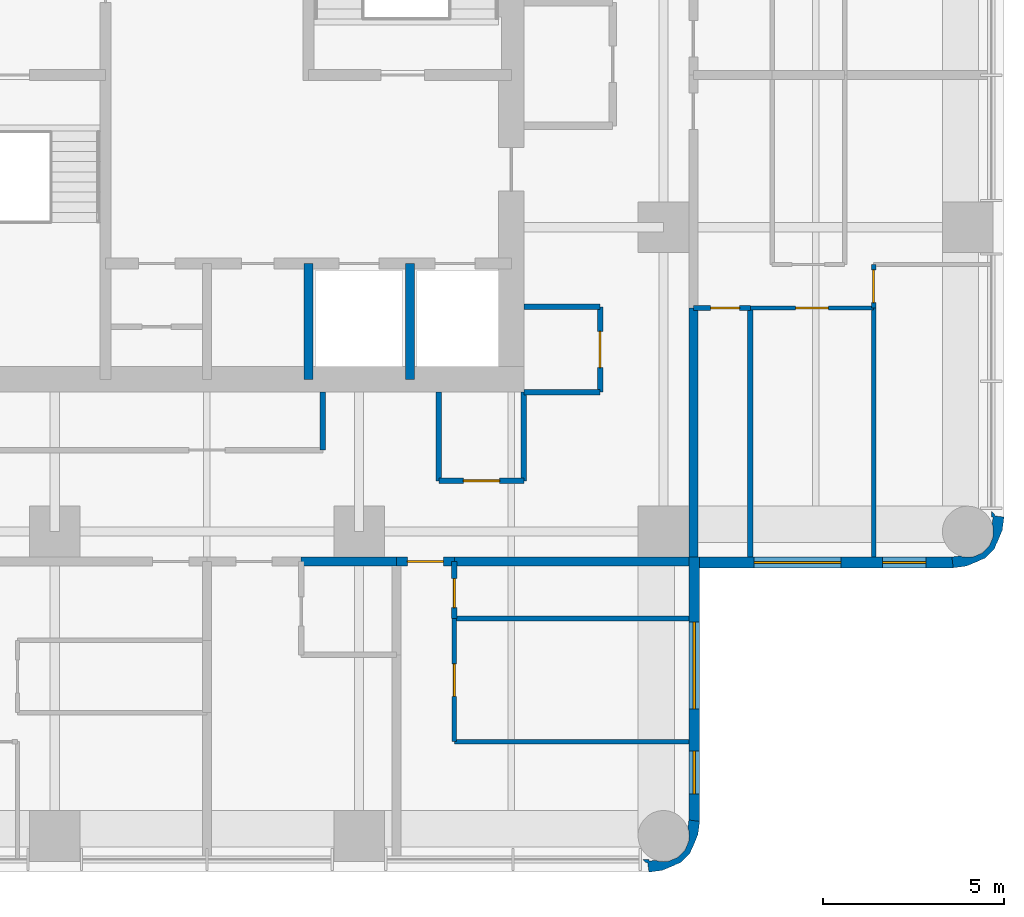
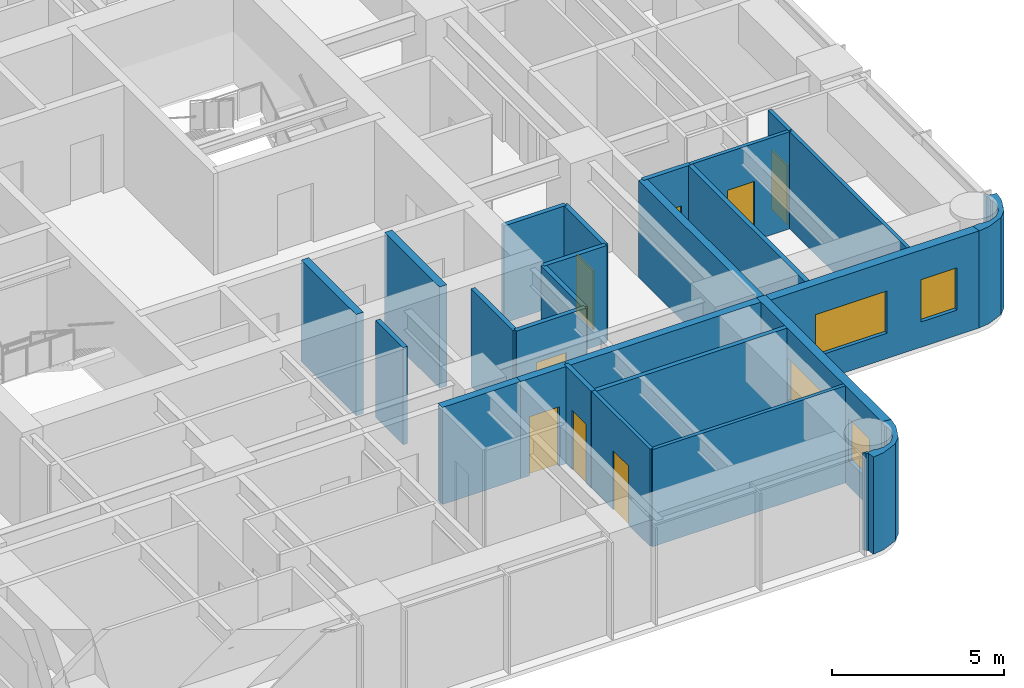
# One storey, part 7 of 11: 26 walls, 8 doors, 4 windows, 12 openings.
"""IFC4 building model written with IfcOpenShell, lengths in metres."""

from ifc_helpers import new_model, si_unit, direction, frame, frame_2d, origin, place, context, subcontext, project, spatial, polyline, rectangle, outline, extrude, material, layer, layer_set, type_object, element, fill, save


model = new_model("IFC4")

# Units and contexts
model_context = context("Model", 3, precision=1e-05, world=origin(), true_north=direction((0.0, 1.0)))
body_context = subcontext(model_context, "Body", "Model", "MODEL_VIEW")
ifc_project = project(units=[si_unit("LENGTHUNIT", "METRE"), si_unit("AREAUNIT", "SQUARE_METRE"), si_unit("VOLUMEUNIT", "CUBIC_METRE"), si_unit("PLANEANGLEUNIT", "RADIAN"), si_unit("MASSUNIT", "GRAM", prefix="KILO")], contexts=[model_context])

# Site, building, storey
site_placement = place(None, origin())
site = spatial("IfcSite", under=ifc_project, at=site_placement, CompositionType="ELEMENT")
building_placement = place(site_placement, origin())
building = spatial("IfcBuilding", under=site, at=building_placement, Name="Torre Alcanfor", CompositionType="ELEMENT")
storey_placement = place(building_placement, frame((0.0, 0.0, 204.89990234375)))
storey = spatial("IfcBuildingStorey", under=building, at=storey_placement, Name="L53", CompositionType="ELEMENT", Elevation=204.89990234375)

# Walls
ifc_material_1 = material(Name="Concrete block masonry, hollow blocks NMX-C-404 9 MPa", Category="masonry")
ifc_layer_1 = layer(ifc_material_1, 0.25)
ifc_layer_set_1 = layer_set([ifc_layer_1], Name="Apartment entrance wall 250 EI 60")
wall_type_1 = type_object("IfcWallType", Name="Apartment entrance wall 250 EI 60", PredefinedType="PARTITIONING", material=ifc_layer_set_1)
wall_1_placement = place(storey_placement, frame((42.824951171875, 22.970947265625, 0.0), z_axis=(0.0, 0.0, 1.0), x_axis=(0.0, -1.0, 0.0)))
element("IfcWall", 1, at=wall_1_placement, inside=storey, type_object=wall_type_1, Name="Partition L53-CORR / L53-E2-BATH", PredefinedType="PARTITIONING", context=body_context, shape_type="SweptSolid", body=[
    extrude(rectangle(XDim=6.870849609375, YDim=0.25, at=frame_2d((3.435546875, 0.0))), origin(), (0.0, 0.0, 1.0), 3.4501953125),
])
wall_2_placement = place(storey_placement, frame((34.62890625, 15.97509765625, 0.0), z_axis=(0.0, 0.0, 1.0), x_axis=(-1.0, 0.0, 0.0)))
element("IfcWall", 2, at=wall_2_placement, inside=storey, type_object=wall_type_1, Name="Partition L53-CORR / L53-S1A-BATH", PredefinedType="PARTITIONING", context=body_context, shape_type="SweptSolid", body=[
    extrude(rectangle(XDim=2.62890625, YDim=0.25, at=frame_2d((1.314453125, 0.0))), origin(), (0.0, 0.0, 1.0), 3.4501953125),
])

# Wall, opening, door
wall_3_placement = place(storey_placement, frame((36.22900390625, 15.97509765625, 0.0), z_axis=(0.0, 0.0, 1.0), x_axis=(-1.0, 0.0, 0.0)))
wall_3 = element("IfcWall", 3, at=wall_3_placement, inside=storey, type_object=wall_type_1, Name="Partition L53-CORR / L53-S1B-LIVING", PredefinedType="PARTITIONING", context=body_context, shape_type="SweptSolid", body=[
    extrude(rectangle(XDim=1.60009765625, YDim=0.25, at=frame_2d((0.800048828125, 0.0))), origin(), (0.0, 0.0, 1.0), 3.4501953125),
])
opening_1_placement = place(wall_3_placement, frame((0.300048828125, 0.0, 0.0)))
opening_1 = element("IfcOpeningElement", 4, at=opening_1_placement, cuts=wall_3, Name="Opening D-A1", PredefinedType="OPENING", context=body_context, shape_type="SweptSolid", body=[
    extrude(rectangle(XDim=1.0, YDim=2.10009765625, at=frame_2d((0.5, 1.050048828125))), frame((0.0, 0.135009765625, 0.0), z_axis=(0.0, -1.0, 0.0), x_axis=(1.0, 0.0, 0.0)), (0.0, 0.0, 1.0), 0.27001953125),
])
ifc_material_2 = material(Name="Galvanised steel sheet ASTM A653", Category="steel")
door_type_1 = type_object("IfcDoorType", Name="Apartment entrance door FD60 1000x2100", OperationType="SINGLE_SWING_LEFT", PredefinedType="DOOR", material=ifc_material_2)
door_1_placement = place(opening_1_placement, origin())
door_1 = element("IfcDoor", 5, at=door_1_placement, inside=storey, type_object=door_type_1, Name="Apartment entrance L53-S1B", OperationType="SINGLE_SWING_LEFT", OverallHeight=2.10009765625, OverallWidth=1.0, PredefinedType="DOOR", context=body_context, shape_type="SweptSolid", body=[
    extrude(rectangle(XDim=1.0, YDim=2.10009765625, at=frame_2d((0.5, 1.050048828125))), frame((0.0, 0.02490234375, 0.0), z_axis=(0.0, -1.0, 0.0), x_axis=(1.0, 0.0, 0.0)), (0.0, 0.0, 1.0), 0.050048828125),
])
fill(opening_1, door_1)

# Wall
wall_4_placement = place(storey_placement, frame((42.699951171875, 15.97509765625, 0.0), z_axis=(0.0, 0.0, 1.0), x_axis=(-1.0, 0.0, 0.0)))
element("IfcWall", 6, at=wall_4_placement, inside=storey, type_object=wall_type_1, Name="Partition L53-CORR / L53-S1B-BATH", PredefinedType="PARTITIONING", context=body_context, shape_type="SweptSolid", body=[
    extrude(rectangle(XDim=6.470947265625, YDim=0.25, at=frame_2d((3.2353515625, 0.0))), origin(), (0.0, 0.0, 1.0), 3.4501953125),
])

# Wall, opening, door
ifc_material_3 = material(Name="Gypsum board on steel studs", Category="steel")
ifc_layer_2 = layer(ifc_material_3, 0.1201171875)
ifc_layer_set_2 = layer_set([ifc_layer_2], Name="Apartment partition 120")
wall_type_2 = type_object("IfcWallType", Name="Apartment partition 120", PredefinedType="PARTITIONING", material=ifc_layer_set_2)
wall_5_placement = place(storey_placement, frame((47.800048828125, 22.970947265625, 0.0), z_axis=(0.0, 0.0, 1.0), x_axis=(-1.0, 0.0, 0.0)))
wall_5 = element("IfcWall", 7, at=wall_5_placement, inside=storey, type_object=wall_type_2, Name="Partition L53-E2-LIVING / L53-E2-STUDY", PredefinedType="PARTITIONING", context=body_context, shape_type="SweptSolid", body=[
    extrude(rectangle(XDim=3.400146484375, YDim=0.1201171875, at=frame_2d((1.7001953125, 0.0))), origin(), (0.0, 0.0, 1.0), 3.4501953125),
])
opening_2_placement = place(wall_5_placement, frame((1.25, 0.0, 0.0)))
opening_2 = element("IfcOpeningElement", 8, at=opening_2_placement, cuts=wall_5, Name="Opening D-R1", PredefinedType="OPENING", context=body_context, shape_type="SweptSolid", body=[
    extrude(rectangle(XDim=0.89990234375, YDim=2.10009765625, at=frame_2d((0.449951171875, 1.050048828125))), frame((0.0, 0.070068359375, 0.0), z_axis=(0.0, -1.0, 0.0), x_axis=(1.0, 0.0, 0.0)), (0.0, 0.0, 1.0), 0.14013671875),
])
ifc_material_4 = material(Name="Timber", Category="wood")
door_type_2 = type_object("IfcDoorType", Name="Internal door 900x2100", OperationType="SINGLE_SWING_LEFT", PredefinedType="DOOR", material=ifc_material_4)
door_2_placement = place(opening_2_placement, origin())
door_2 = element("IfcDoor", 9, at=door_2_placement, inside=storey, type_object=door_type_2, Name="Door L53-E2 study", OperationType="SINGLE_SWING_LEFT", OverallHeight=2.10009765625, OverallWidth=0.89990234375, PredefinedType="DOOR", context=body_context, shape_type="SweptSolid", body=[
    extrude(rectangle(XDim=0.89990234375, YDim=2.10009765625, at=frame_2d((0.449951171875, 1.050048828125))), frame((0.0, 0.02490234375, 0.0), z_axis=(0.0, -1.0, 0.0), x_axis=(1.0, 0.0, 0.0)), (0.0, 0.0, 1.0), 0.050048828125),
])
fill(opening_2, door_2)

wall_6_placement = place(storey_placement, frame((47.800048828125, 24.1708984375, 0.0), z_axis=(0.0, 0.0, 1.0), x_axis=(0.0, -1.0, 0.0)))
wall_6 = element("IfcWall", 10, at=wall_6_placement, inside=storey, type_object=wall_type_2, Name="Partition L53-E2-LIVING / L53-E2-MASTER", PredefinedType="PARTITIONING", context=body_context, shape_type="SweptSolid", body=[
    extrude(rectangle(XDim=1.199951171875, YDim=0.1201171875, at=frame_2d((0.60009765625, 0.0))), origin(), (0.0, 0.0, 1.0), 3.4501953125),
])
opening_3_placement = place(wall_6_placement, frame((0.15087890625, 0.0, 0.0)))
opening_3 = element("IfcOpeningElement", 11, at=opening_3_placement, cuts=wall_6, Name="Opening D-R1", PredefinedType="OPENING", context=body_context, shape_type="SweptSolid", body=[
    extrude(rectangle(XDim=0.89990234375, YDim=2.10009765625, at=frame_2d((0.449951171875, 1.050048828125))), frame((0.0, 0.070068359375, 0.0), z_axis=(0.0, -1.0, 0.0), x_axis=(1.0, 0.0, 0.0)), (0.0, 0.0, 1.0), 0.14013671875),
])
door_3_placement = place(opening_3_placement, origin())
door_3 = element("IfcDoor", 12, at=door_3_placement, inside=storey, type_object=door_type_2, Name="Door L53-E2 master", OperationType="SINGLE_SWING_LEFT", OverallHeight=2.10009765625, OverallWidth=0.89990234375, PredefinedType="DOOR", context=body_context, shape_type="SweptSolid", body=[
    extrude(rectangle(XDim=0.89990234375, YDim=2.10009765625, at=frame_2d((0.449951171875, 1.050048828125))), frame((0.0, 0.02490234375, 0.0), z_axis=(0.0, -1.0, 0.0), x_axis=(1.0, 0.0, 0.0)), (0.0, 0.0, 1.0), 0.050048828125),
])
fill(opening_3, door_3)

# Wall
wall_7_placement = place(storey_placement, frame((47.800048828125, 22.970947265625, 0.0), z_axis=(0.0, 0.0, 1.0), x_axis=(0.0, -1.0, 0.0)))
element("IfcWall", 13, at=wall_7_placement, inside=storey, type_object=wall_type_2, Name="Partition L53-E2-STUDY / L53-E2-MASTER", PredefinedType="PARTITIONING", context=body_context, shape_type="SweptSolid", body=[
    extrude(rectangle(XDim=6.870849609375, YDim=0.1201171875, at=frame_2d((3.435546875, 0.0))), origin(), (0.0, 0.0, 1.0), 3.4501953125),
])

# Wall, opening, door
wall_8_placement = place(storey_placement, frame((36.22900390625, 14.39990234375, 0.0), z_axis=(0.0, 0.0, 1.0), x_axis=(0.0, -1.0, 0.0)))
wall_8 = element("IfcWall", 14, at=wall_8_placement, inside=storey, type_object=wall_type_2, Name="Partition L53-S1B-LIVING / L53-S1B-MASTER", PredefinedType="PARTITIONING", context=body_context, shape_type="SweptSolid", body=[
    extrude(rectangle(XDim=3.39990234375, YDim=0.1201171875, at=frame_2d((1.699951171875, 0.0))), origin(), (0.0, 0.0, 1.0), 3.4501953125),
])
opening_4_placement = place(wall_8_placement, frame((1.25, 0.0, 0.0)))
opening_4 = element("IfcOpeningElement", 15, at=opening_4_placement, cuts=wall_8, Name="Opening D-R1", PredefinedType="OPENING", context=body_context, shape_type="SweptSolid", body=[
    extrude(rectangle(XDim=0.89990234375, YDim=2.10009765625, at=frame_2d((0.449951171875, 1.050048828125))), frame((0.0, 0.070068359375, 0.0), z_axis=(0.0, -1.0, 0.0), x_axis=(1.0, 0.0, 0.0)), (0.0, 0.0, 1.0), 0.14013671875),
])
door_4_placement = place(opening_4_placement, origin())
door_4 = element("IfcDoor", 16, at=door_4_placement, inside=storey, type_object=door_type_2, Name="Door L53-S1B master", OperationType="SINGLE_SWING_LEFT", OverallHeight=2.10009765625, OverallWidth=0.89990234375, PredefinedType="DOOR", context=body_context, shape_type="SweptSolid", body=[
    extrude(rectangle(XDim=0.89990234375, YDim=2.10009765625, at=frame_2d((0.449951171875, 1.050048828125))), frame((0.0, 0.02490234375, 0.0), z_axis=(0.0, -1.0, 0.0), x_axis=(1.0, 0.0, 0.0)), (0.0, 0.0, 1.0), 0.050048828125),
])
fill(opening_4, door_4)

# Walls
wall_9_placement = place(storey_placement, frame((36.22900390625, 11.0, 0.0), z_axis=(0.0, 0.0, 1.0), x_axis=(1.0, 0.0, 0.0)))
element("IfcWall", 17, at=wall_9_placement, inside=storey, type_object=wall_type_2, Name="Partition L53-S1B-LIVING / L53-S1B-MASTER", PredefinedType="PARTITIONING", context=body_context, shape_type="SweptSolid", body=[
    extrude(rectangle(XDim=6.470947265625, YDim=0.1201171875, at=frame_2d((3.2353515625, 0.0))), origin(), (0.0, 0.0, 1.0), 3.4501953125),
])
ifc_material_5 = material(Name="Concrete f'c 70 MPa", Category="concrete")
ifc_layer_3 = layer(ifc_material_5, 0.25)
ifc_layer_set_3 = layer_set([ifc_layer_3], Name="Core shaft wall 250 f'c70")
wall_type_3 = type_object("IfcWallType", Name="Core shaft wall 250 f'c70", PredefinedType="SHEAR", material=ifc_layer_set_3)
for number, where, z_axis, x_axis, name in (
    (18, (32.199951171875, 21.0, 0.0), (0.0, 0.0, 1.0), (0.0, 1.0, 0.0), "Core wall X322S L53"),
    (19, (35.0, 21.0, 0.0), (0.0, 0.0, 1.0), (0.0, 1.0, 0.0), "Core wall X350S L53"),
):
    element("IfcWall", number, at=place(storey_placement, frame(where, z_axis=z_axis, x_axis=x_axis)), inside=storey, type_object=wall_type_3, Name=name, PredefinedType="SHEAR", context=body_context, shape_type="SweptSolid", body=[
        extrude(rectangle(XDim=3.199951171875, YDim=0.25, at=frame_2d((1.60009765625, 0.0))), origin(), (0.0, 0.0, 1.0), 3.60009765625),
    ])

# Wall, openings, windows
ifc_material_6 = material(Name="Limestone cladding", Category="masonry")
ifc_layer_4 = layer(ifc_material_6, 0.0400390625, Name="Facing")
ifc_material_7 = material(Name="Ventilated air cavity")
ifc_layer_5 = layer(ifc_material_7, 0.02001953125, ventilated=True, Name="Ventilated joint")
ifc_material_8 = material(Name="Mineral wool insulation", Category="insulation")
ifc_layer_6 = layer(ifc_material_8, 0.10009765625, Name="Insulation")
ifc_material_9 = material(Name="Concrete f'c 35 MPa", Category="concrete")
ifc_layer_7 = layer(ifc_material_9, 0.139892578125, Name="Backing")
ifc_layer_set_4 = layer_set([ifc_layer_4, ifc_layer_5, ifc_layer_6, ifc_layer_7], Name="External wall stone-clad 300")
wall_type_4 = type_object("IfcWallType", Name="External wall stone-clad 300", PredefinedType="SOLIDWALL", material=ifc_layer_set_4)
wall_10_placement = place(storey_placement, frame((42.85009765625, 8.800048828125, 0.0), z_axis=(0.0, 0.0, 1.0), x_axis=(0.0, 1.0, 0.0)))
wall_10 = element("IfcWall", 20, at=wall_10_placement, inside=storey, type_object=wall_type_4, Name="External wall L53 6", PredefinedType="SOLIDWALL", context=body_context, shape_type="SweptSolid", body=[
    extrude(rectangle(XDim=7.300048828125, YDim=0.300048828125, at=frame_2d((3.64990234375, 0.0))), origin(), (0.0, 0.0, 1.0), 3.4501953125),
])
opening_5_placement = place(wall_10_placement, frame((3.10009765625, 0.0, 0.89990234375)))
opening_5 = element("IfcOpeningElement", 21, at=opening_5_placement, cuts=wall_10, Name="Opening W1", PredefinedType="OPENING", context=body_context, shape_type="SweptSolid", body=[
    extrude(rectangle(XDim=2.39990234375, YDim=1.5, at=frame_2d((1.199951171875, 0.75))), frame((0.0, 0.159912109375, 0.0), z_axis=(0.0, -1.0, 0.0), x_axis=(1.0, 0.0, 0.0)), (0.0, 0.0, 1.0), 0.320068359375),
])
opening_6_placement = place(wall_10_placement, frame((0.75, 0.0, 0.89990234375)))
opening_6 = element("IfcOpeningElement", 22, at=opening_6_placement, cuts=wall_10, Name="Opening W4", PredefinedType="OPENING", context=body_context, shape_type="SweptSolid", body=[
    extrude(rectangle(XDim=1.199951171875, YDim=1.5, at=frame_2d((0.60009765625, 0.75))), frame((0.0, 0.159912109375, 0.0), z_axis=(0.0, -1.0, 0.0), x_axis=(1.0, 0.0, 0.0)), (0.0, 0.0, 1.0), 0.320068359375),
])
ifc_material_10 = material(Name="Aluminium frame with clear double glazing", Category="aluminium")
window_type_1 = type_object("IfcWindowType", Name="Window bedroom 1200x1500", PartitioningType="SINGLE_PANEL", PredefinedType="WINDOW", material=ifc_material_10)
window_1_placement = place(opening_6_placement, origin())
window_1 = element("IfcWindow", 23, at=window_1_placement, inside=storey, type_object=window_type_1, Name="Window W4 L53-S1", OverallHeight=1.5, OverallWidth=1.199951171875, PartitioningType="SINGLE_PANEL", PredefinedType="WINDOW", context=body_context, shape_type="SweptSolid", body=[
    extrude(rectangle(XDim=1.199951171875, YDim=1.5, at=frame_2d((0.60009765625, 0.75))), frame((0.0, 0.030029296875, 0.0), z_axis=(0.0, -1.0, 0.0), x_axis=(1.0, 0.0, 0.0)), (0.0, 0.0, 1.0), 0.06005859375),
])
fill(opening_6, window_1)
ifc_material_11 = material(Name="Aluminium frame with clear double glazing", Category="aluminium")
window_type_2 = type_object("IfcWindowType", Name="Window bedroom 2400x1500", PartitioningType="SINGLE_PANEL", PredefinedType="WINDOW", material=ifc_material_11)
window_2_placement = place(opening_5_placement, origin())
window_2 = element("IfcWindow", 24, at=window_2_placement, inside=storey, type_object=window_type_2, Name="Window W1 L53-S1", OverallHeight=1.5, OverallWidth=2.39990234375, PartitioningType="SINGLE_PANEL", PredefinedType="WINDOW", context=body_context, shape_type="SweptSolid", body=[
    extrude(rectangle(XDim=2.39990234375, YDim=1.5, at=frame_2d((1.199951171875, 0.75))), frame((0.0, 0.030029296875, 0.0), z_axis=(0.0, -1.0, 0.0), x_axis=(1.0, 0.0, 0.0)), (0.0, 0.0, 1.0), 0.06005859375),
])
fill(opening_5, window_2)

wall_11_placement = place(storey_placement, frame((43.0, 15.949951171875, 0.0), z_axis=(0.0, 0.0, 1.0), x_axis=(1.0, 0.0, 0.0)))
wall_11 = element("IfcWall", 25, at=wall_11_placement, inside=storey, type_object=wall_type_4, Name="External wall L53 7", PredefinedType="SOLIDWALL", context=body_context, shape_type="SweptSolid", body=[
    extrude(rectangle(XDim=7.0, YDim=0.300048828125, at=frame_2d((3.5, 0.0))), origin(), (0.0, 0.0, 1.0), 3.4501953125),
])
opening_7_placement = place(wall_11_placement, frame((1.5, 0.0, 0.89990234375)))
opening_7 = element("IfcOpeningElement", 26, at=opening_7_placement, cuts=wall_11, Name="Opening W1", PredefinedType="OPENING", context=body_context, shape_type="SweptSolid", body=[
    extrude(rectangle(XDim=2.39990234375, YDim=1.5, at=frame_2d((1.199951171875, 0.75))), frame((0.0, 0.159912109375, 0.0), z_axis=(0.0, -1.0, 0.0), x_axis=(1.0, 0.0, 0.0)), (0.0, 0.0, 1.0), 0.320068359375),
])
opening_8_placement = place(wall_11_placement, frame((5.050048828125, 0.0, 0.89990234375)))
opening_8 = element("IfcOpeningElement", 27, at=opening_8_placement, cuts=wall_11, Name="Opening W4", PredefinedType="OPENING", context=body_context, shape_type="SweptSolid", body=[
    extrude(rectangle(XDim=1.199951171875, YDim=1.5, at=frame_2d((0.60009765625, 0.75))), frame((0.0, 0.159912109375, 0.0), z_axis=(0.0, -1.0, 0.0), x_axis=(1.0, 0.0, 0.0)), (0.0, 0.0, 1.0), 0.320068359375),
])
window_3_placement = place(opening_8_placement, origin())
window_3 = element("IfcWindow", 28, at=window_3_placement, inside=storey, type_object=window_type_1, Name="Window W4 L53-E2", OverallHeight=1.5, OverallWidth=1.199951171875, PartitioningType="SINGLE_PANEL", PredefinedType="WINDOW", context=body_context, shape_type="SweptSolid", body=[
    extrude(rectangle(XDim=1.199951171875, YDim=1.5, at=frame_2d((0.60009765625, 0.75))), frame((0.0, 0.030029296875, 0.0), z_axis=(0.0, -1.0, 0.0), x_axis=(1.0, 0.0, 0.0)), (0.0, 0.0, 1.0), 0.06005859375),
])
fill(opening_8, window_3)
window_4_placement = place(opening_7_placement, origin())
window_4 = element("IfcWindow", 29, at=window_4_placement, inside=storey, type_object=window_type_2, Name="Window W1 L53-E2", OverallHeight=1.5, OverallWidth=2.39990234375, PartitioningType="SINGLE_PANEL", PredefinedType="WINDOW", context=body_context, shape_type="SweptSolid", body=[
    extrude(rectangle(XDim=2.39990234375, YDim=1.5, at=frame_2d((1.199951171875, 0.75))), frame((0.0, 0.030029296875, 0.0), z_axis=(0.0, -1.0, 0.0), x_axis=(1.0, 0.0, 0.0)), (0.0, 0.0, 1.0), 0.06005859375),
])
fill(opening_7, window_4)

# Wall
ifc_material_12 = material(Name="Concrete block masonry, hollow blocks NMX-C-404 9 MPa", Category="masonry")
ifc_layer_8 = layer(ifc_material_12, 0.14990234375)
ifc_layer_set_5 = layer_set([ifc_layer_8], Name="Residents' room partition 150")
wall_type_5 = type_object("IfcWallType", Name="Residents' room partition 150", PredefinedType="PARTITIONING", material=ifc_layer_set_5)
wall_12_placement = place(storey_placement, frame((38.14990234375, 20.64990234375, 0.0), z_axis=(0.0, 0.0, 1.0), x_axis=(1.0, 0.0, 0.0)))
element("IfcWall", 30, at=wall_12_placement, inside=storey, type_object=wall_type_5, Name="Partition L53-CORR / L53-G03", PredefinedType="PARTITIONING", context=body_context, shape_type="SweptSolid", body=[
    extrude(rectangle(XDim=2.10009765625, YDim=0.14990234375, at=frame_2d((1.050048828125, 0.0))), origin(), (0.0, 0.0, 1.0), 3.4501953125),
])

# Wall, opening, door
wall_13_placement = place(storey_placement, frame((40.25, 20.64990234375, 0.0), z_axis=(0.0, 0.0, 1.0), x_axis=(0.0, 1.0, 0.0)))
wall_13 = element("IfcWall", 31, at=wall_13_placement, inside=storey, type_object=wall_type_5, Name="Partition L53-CORR / L53-G03", PredefinedType="PARTITIONING", context=body_context, shape_type="SweptSolid", body=[
    extrude(rectangle(XDim=2.35009765625, YDim=0.14990234375, at=frame_2d((1.175048828125, 0.0))), origin(), (0.0, 0.0, 1.0), 3.4501953125),
])
opening_9_placement = place(wall_13_placement, frame((0.675048828125, 0.0, 0.0)))
opening_9 = element("IfcOpeningElement", 32, at=opening_9_placement, cuts=wall_13, Name="Opening D-M1", PredefinedType="OPENING", context=body_context, shape_type="SweptSolid", body=[
    extrude(rectangle(XDim=1.0, YDim=2.10009765625, at=frame_2d((0.5, 1.050048828125))), frame((0.0, 0.0849609375, 0.0), z_axis=(0.0, -1.0, 0.0), x_axis=(1.0, 0.0, 0.0)), (0.0, 0.0, 1.0), 0.169921875),
])
ifc_material_13 = material(Name="Timber", Category="wood")
door_type_3 = type_object("IfcDoorType", Name="Residents' room door 1000x2100", OperationType="SINGLE_SWING_LEFT", PredefinedType="DOOR", material=ifc_material_13)
door_5_placement = place(opening_9_placement, origin())
door_5 = element("IfcDoor", 33, at=door_5_placement, inside=storey, type_object=door_type_3, Name="Door L53-G03 parcel room", OperationType="SINGLE_SWING_LEFT", OverallHeight=2.10009765625, OverallWidth=1.0, PredefinedType="DOOR", context=body_context, shape_type="SweptSolid", body=[
    extrude(rectangle(XDim=1.0, YDim=2.10009765625, at=frame_2d((0.5, 1.050048828125))), frame((0.0, 0.02490234375, 0.0), z_axis=(0.0, -1.0, 0.0), x_axis=(1.0, 0.0, 0.0)), (0.0, 0.0, 1.0), 0.050048828125),
])
fill(opening_9, door_5)

# Walls
wall_14_placement = place(storey_placement, frame((40.25, 23.0, 0.0), z_axis=(0.0, 0.0, 1.0), x_axis=(-1.0, 0.0, 0.0)))
element("IfcWall", 34, at=wall_14_placement, inside=storey, type_object=wall_type_5, Name="Partition L53-CORR / L53-G03", PredefinedType="PARTITIONING", context=body_context, shape_type="SweptSolid", body=[
    extrude(rectangle(XDim=2.10009765625, YDim=0.14990234375, at=frame_2d((1.050048828125, 0.0))), origin(), (0.0, 0.0, 1.0), 3.4501953125),
])
wall_15_placement = place(storey_placement, frame((32.60009765625, 19.050048828125, 0.0), z_axis=(0.0, 0.0, 1.0), x_axis=(0.0, 1.0, 0.0)))
element("IfcWall", 35, at=wall_15_placement, inside=storey, type_object=wall_type_5, Name="Partition L53-CORR / L53-G05", PredefinedType="PARTITIONING", context=body_context, shape_type="SweptSolid", body=[
    extrude(rectangle(XDim=1.599853515625, YDim=0.14990234375, at=frame_2d((0.7998046875, 0.0))), origin(), (0.0, 0.0, 1.0), 3.4501953125),
])
wall_16_placement = place(storey_placement, frame((35.800048828125, 20.64990234375, 0.0), z_axis=(0.0, 0.0, 1.0), x_axis=(0.0, -1.0, 0.0)))
element("IfcWall", 36, at=wall_16_placement, inside=storey, type_object=wall_type_5, Name="Partition L53-CORR / L53-G06", PredefinedType="PARTITIONING", context=body_context, shape_type="SweptSolid", body=[
    extrude(rectangle(XDim=2.449951171875, YDim=0.14990234375, at=frame_2d((1.22509765625, 0.0))), origin(), (0.0, 0.0, 1.0), 3.4501953125),
])

# Wall, opening, door
wall_17_placement = place(storey_placement, frame((35.800048828125, 18.199951171875, 0.0), z_axis=(0.0, 0.0, 1.0), x_axis=(1.0, 0.0, 0.0)))
wall_17 = element("IfcWall", 37, at=wall_17_placement, inside=storey, type_object=wall_type_5, Name="Partition L53-CORR / L53-G06", PredefinedType="PARTITIONING", context=body_context, shape_type="SweptSolid", body=[
    extrude(rectangle(XDim=2.349853515625, YDim=0.14990234375, at=frame_2d((1.1748046875, 0.0))), origin(), (0.0, 0.0, 1.0), 3.4501953125),
])
opening_10_placement = place(wall_17_placement, frame((0.675048828125, 0.0, 0.0)))
opening_10 = element("IfcOpeningElement", 38, at=opening_10_placement, cuts=wall_17, Name="Opening D-M1", PredefinedType="OPENING", context=body_context, shape_type="SweptSolid", body=[
    extrude(rectangle(XDim=1.0, YDim=2.10009765625, at=frame_2d((0.5, 1.050048828125))), frame((0.0, 0.0849609375, 0.0), z_axis=(0.0, -1.0, 0.0), x_axis=(1.0, 0.0, 0.0)), (0.0, 0.0, 1.0), 0.169921875),
])
door_6_placement = place(opening_10_placement, origin())
door_6 = element("IfcDoor", 39, at=door_6_placement, inside=storey, type_object=door_type_3, Name="Door L53-G06 cleaners' store", OperationType="SINGLE_SWING_LEFT", OverallHeight=2.10009765625, OverallWidth=1.0, PredefinedType="DOOR", context=body_context, shape_type="SweptSolid", body=[
    extrude(rectangle(XDim=1.0, YDim=2.10009765625, at=frame_2d((0.5, 1.050048828125))), frame((0.0, 0.02490234375, 0.0), z_axis=(0.0, -1.0, 0.0), x_axis=(1.0, 0.0, 0.0)), (0.0, 0.0, 1.0), 0.050048828125),
])
fill(opening_10, door_6)

# Walls
wall_18_placement = place(storey_placement, frame((38.14990234375, 18.199951171875, 0.0), z_axis=(0.0, 0.0, 1.0), x_axis=(0.0, 1.0, 0.0)))
element("IfcWall", 40, at=wall_18_placement, inside=storey, type_object=wall_type_5, Name="Partition L53-CORR / L53-G06", PredefinedType="PARTITIONING", context=body_context, shape_type="SweptSolid", body=[
    extrude(rectangle(XDim=2.449951171875, YDim=0.14990234375, at=frame_2d((1.22509765625, 0.0))), origin(), (0.0, 0.0, 1.0), 3.4501953125),
])
ifc_layer_9 = layer(ifc_material_6, 0.0400390625, Name="Facing")
ifc_layer_10 = layer(ifc_material_7, 0.02001953125, ventilated=True, Name="Ventilated joint")
ifc_layer_11 = layer(ifc_material_8, 0.10009765625, Name="Insulation")
ifc_layer_12 = layer(ifc_material_9, 0.139892578125, Name="Backing")
ifc_layer_set_6 = layer_set([ifc_layer_9, ifc_layer_10, ifc_layer_11, ifc_layer_12], Name="Rounded corner pier stone-clad 300")
wall_type_6 = type_object("IfcWallType", Name="Rounded corner pier stone-clad 300", PredefinedType="SOLIDWALL", material=ifc_layer_set_6)
wall_19_placement = place(storey_placement, frame((41.487674505, 7.81184816, 0.0), z_axis=(0.0, 0.0, 1.0), x_axis=(0.439933741929, -0.898030234854, 0.0)))
element("IfcWall", 41, at=wall_19_placement, inside=storey, type_object=wall_type_6, Name="Corner pier L53 16", PredefinedType="SOLIDWALL", context=body_context, shape_type="SweptSolid", body=[
    extrude(outline(polyline([(-0.22211106405008596, 1.79285683715578), (-0.38963046514304167, 1.5408036407584151), (-0.3716523207929293, 1.5319963734639448), (-0.19468756344442484, 1.4143112499146666), (-0.11952867709650372, 1.4095716139925836), (0.13084986982823227, 1.2869143060622759), (0.31521775375122, 1.077790939273673), (0.4056918504372342, 0.8140758848288827), (0.38808178724257975, 0.5356161745678794), (0.2654244793122719, 0.2852376276431435), (0.2089428669679142, 0.23542648619150297), (0.14753391384334946, 0.052913590909571956), (0.10500025525893722, 0.07375029645990445), (0.031856974435347366, -0.07555599991115089), (0.1375846098688884, -0.03953909720776211), (0.1818140873587874, -0.00030939302076338215), (0.41939853572309777, -0.08026947549461516), (0.5358164427032454, 0.26614260505761644), (0.5587307592354187, 0.6309028220812384), (0.5547454122460747, 0.6510699721236227), (0.5663481591314005, 0.8356895887147825), (0.4554073490163316, 1.1591818423176052), (0.33330228334154954, 1.2978396679318425), (0.3239786746038034, 1.3165440299102549), (0.08230538830534162, 1.5907138760183892), (-0.22211106405008596, 1.79285683715578)])), origin(), (0.0, 0.0, 1.0), 3.4501953125),
])
wall_20_placement = place(storey_placement, frame((50.110315272, 16.075788181, 0.0), z_axis=(0.0, 0.0, 1.0), x_axis=(0.898030234854, -0.439933741929, 0.0)))
element("IfcWall", 42, at=wall_20_placement, inside=storey, type_object=wall_type_6, Name="Corner pier L53 17", PredefinedType="SOLIDWALL", context=body_context, shape_type="SweptSolid", body=[
    extrude(outline(polyline([(0.6635309497954787, 1.5768652207279077), (0.4261657470939745, 1.4970125439527688), (0.3820436753027886, 1.5360230024769612), (0.27620863417053443, 1.5722591508431565), (0.3493519149941243, 1.422952854472101), (0.3918855735785366, 1.4437895600224335), (0.45340193240181437, 1.2610574190776962), (0.5097761390474591, 1.211465523288862), (0.6324334469777668, 0.961086976364126), (0.6500435101724213, 0.6826272661031227), (0.5595694134864071, 0.41891221165833237), (0.3749822839006132, 0.2096814391710166), (0.12460373697587725, 0.08702413124070879), (0.0497715019894753, 0.08217265535453251), (-0.12751990672054841, -0.03540062823065235), (-0.14527880540785457, -0.04410048982640973), (0.02224059568510124, -0.2961536862237746), (0.3266570480405287, -0.09401072508638375), (0.5683303343389906, 0.18015912102175058), (0.5774346974139304, 0.19875607730145015), (0.6998664144502319, 0.3373020629515939), (0.8106998188665876, 0.6610135622172228), (0.7988778263184556, 0.8455257731096697), (0.8030824189706058, 0.8658003288507671), (0.7801681024384324, 1.230560545874389), (0.6635309497954787, 1.5768652207279077)])), origin(), (0.0, 0.0, 1.0), 3.4501953125),
])

# Wall, opening, door
ifc_material_14 = material(Name="Cement board on steel studs", Category="steel")
ifc_layer_13 = layer(ifc_material_14, 0.14990234375)
ifc_layer_set_7 = layer_set([ifc_layer_13], Name="Wet area partition 150")
wall_type_7 = type_object("IfcWallType", Name="Wet area partition 150", PredefinedType="PARTITIONING", material=ifc_layer_set_7)
wall_21_placement = place(storey_placement, frame((44.39990234375, 22.970947265625, 0.0), z_axis=(0.0, 0.0, 1.0), x_axis=(-1.0, 0.0, 0.0)))
wall_21 = element("IfcWall", 43, at=wall_21_placement, inside=storey, type_object=wall_type_7, Name="Partition L53-E2-LIVING / L53-E2-BATH", PredefinedType="PARTITIONING", context=body_context, shape_type="SweptSolid", body=[
    extrude(rectangle(XDim=1.574951171875, YDim=0.14990234375, at=frame_2d((0.78759765625, 0.0))), origin(), (0.0, 0.0, 1.0), 3.4501953125),
])
opening_11_placement = place(wall_21_placement, frame((0.300048828125, 0.0, 0.0)))
opening_11 = element("IfcOpeningElement", 44, at=opening_11_placement, cuts=wall_21, Name="Opening D-R2", PredefinedType="OPENING", context=body_context, shape_type="SweptSolid", body=[
    extrude(rectangle(XDim=0.800048828125, YDim=2.10009765625, at=frame_2d((0.39990234375, 1.050048828125))), frame((0.0, 0.0849609375, 0.0), z_axis=(0.0, -1.0, 0.0), x_axis=(1.0, 0.0, 0.0)), (0.0, 0.0, 1.0), 0.169921875),
])
ifc_material_15 = material(Name="Timber", Category="wood")
door_type_4 = type_object("IfcDoorType", Name="Bathroom door 800x2100", OperationType="SINGLE_SWING_LEFT", PredefinedType="DOOR", material=ifc_material_15)
door_7_placement = place(opening_11_placement, origin())
door_7 = element("IfcDoor", 45, at=door_7_placement, inside=storey, type_object=door_type_4, Name="Door L53-E2 bath", OperationType="SINGLE_SWING_LEFT", OverallHeight=2.10009765625, OverallWidth=0.800048828125, PredefinedType="DOOR", context=body_context, shape_type="SweptSolid", body=[
    extrude(rectangle(XDim=0.800048828125, YDim=2.10009765625, at=frame_2d((0.39990234375, 1.050048828125))), frame((0.0, 0.02490234375, 0.0), z_axis=(0.0, -1.0, 0.0), x_axis=(1.0, 0.0, 0.0)), (0.0, 0.0, 1.0), 0.050048828125),
])
fill(opening_11, door_7)

# Wall
wall_22_placement = place(storey_placement, frame((44.39990234375, 22.970947265625, 0.0), z_axis=(0.0, 0.0, 1.0), x_axis=(0.0, -1.0, 0.0)))
element("IfcWall", 46, at=wall_22_placement, inside=storey, type_object=wall_type_7, Name="Partition L53-E2-BATH / L53-E2-STUDY", PredefinedType="PARTITIONING", context=body_context, shape_type="SweptSolid", body=[
    extrude(rectangle(XDim=6.870849609375, YDim=0.14990234375, at=frame_2d((3.435546875, 0.0))), origin(), (0.0, 0.0, 1.0), 3.4501953125),
])

# Wall, opening, door
wall_23_placement = place(storey_placement, frame((36.22900390625, 15.97509765625, 0.0), z_axis=(0.0, 0.0, 1.0), x_axis=(0.0, -1.0, 0.0)))
wall_23 = element("IfcWall", 47, at=wall_23_placement, inside=storey, type_object=wall_type_7, Name="Partition L53-S1B-LIVING / L53-S1B-BATH", PredefinedType="PARTITIONING", context=body_context, shape_type="SweptSolid", body=[
    extrude(rectangle(XDim=1.5751953125, YDim=0.14990234375, at=frame_2d((0.78759765625, 0.0))), origin(), (0.0, 0.0, 1.0), 3.4501953125),
])
opening_12_placement = place(wall_23_placement, frame((0.47509765625, 0.0, 0.0)))
opening_12 = element("IfcOpeningElement", 48, at=opening_12_placement, cuts=wall_23, Name="Opening D-R2", PredefinedType="OPENING", context=body_context, shape_type="SweptSolid", body=[
    extrude(rectangle(XDim=0.800048828125, YDim=2.10009765625, at=frame_2d((0.39990234375, 1.050048828125))), frame((0.0, 0.0849609375, 0.0), z_axis=(0.0, -1.0, 0.0), x_axis=(1.0, 0.0, 0.0)), (0.0, 0.0, 1.0), 0.169921875),
])
door_8_placement = place(opening_12_placement, origin())
door_8 = element("IfcDoor", 49, at=door_8_placement, inside=storey, type_object=door_type_4, Name="Door L53-S1B bath", OperationType="SINGLE_SWING_RIGHT", OverallHeight=2.10009765625, OverallWidth=0.800048828125, PredefinedType="DOOR", context=body_context, shape_type="SweptSolid", body=[
    extrude(rectangle(XDim=0.800048828125, YDim=2.10009765625, at=frame_2d((0.39990234375, 1.050048828125))), frame((0.0, 0.02490234375, 0.0), z_axis=(0.0, -1.0, 0.0), x_axis=(1.0, 0.0, 0.0)), (0.0, 0.0, 1.0), 0.050048828125),
])
fill(opening_12, door_8)

# Wall
wall_24_placement = place(storey_placement, frame((36.22900390625, 14.39990234375, 0.0), z_axis=(0.0, 0.0, 1.0), x_axis=(1.0, 0.0, 0.0)))
element("IfcWall", 50, at=wall_24_placement, inside=storey, type_object=wall_type_7, Name="Partition L53-S1B-BATH / L53-S1B-MASTER", PredefinedType="PARTITIONING", context=body_context, shape_type="SweptSolid", body=[
    extrude(rectangle(XDim=6.470947265625, YDim=0.14990234375, at=frame_2d((3.2353515625, 0.0))), origin(), (0.0, 0.0, 1.0), 3.4501953125),
])

save(model, "model.ifc")
